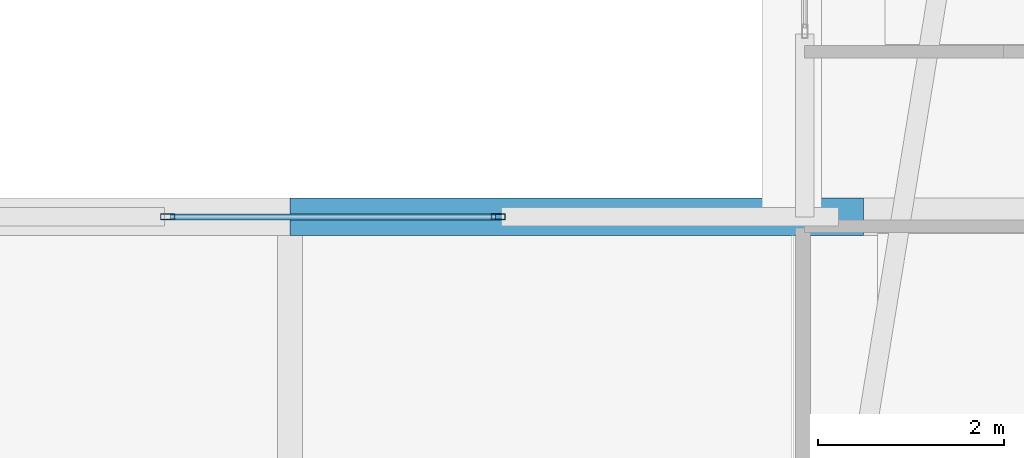
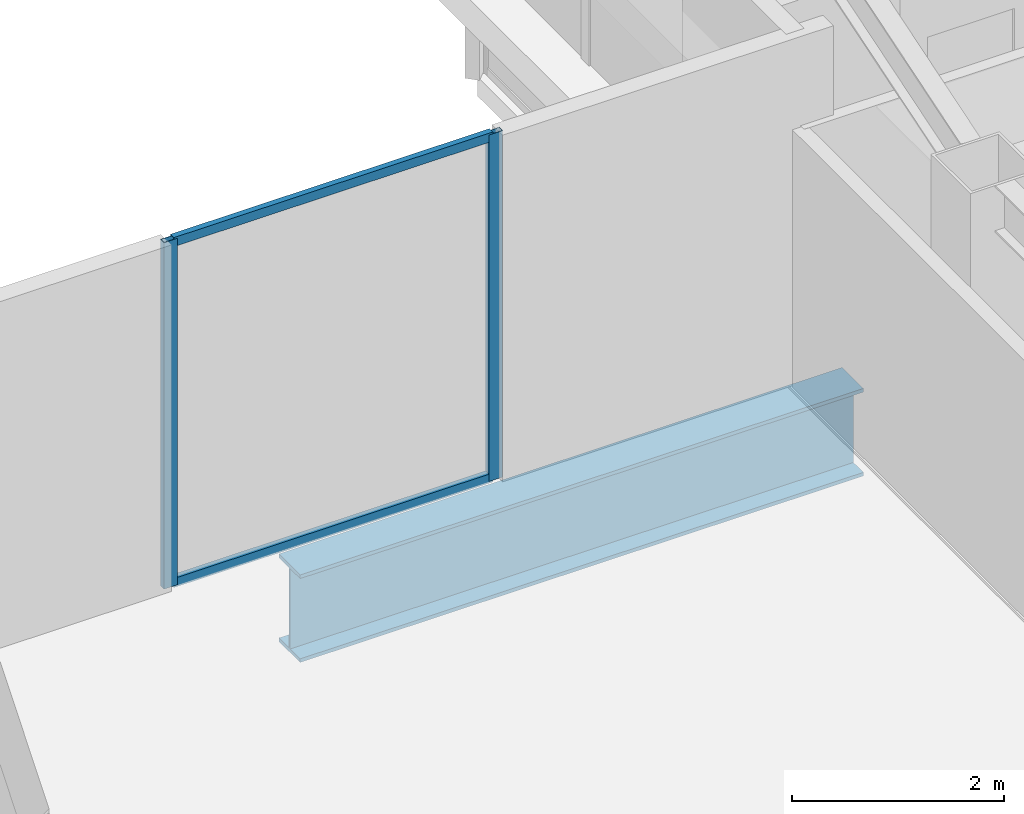
# One storey, part 7 of 51: 4 members, 1 beam, 1 element without a shape of its own.
"""IFC4 building model written with IfcOpenShell, lengths in metres."""

from ifc_helpers import new_model, si_unit, direction, frame, origin, origin_2d, place, context, subcontext, project, spatial, hollow_rectangle, i_section, extrude, material, material_profile, profile_set, type_object, element, aggregate, save


model = new_model("IFC4")

# Units and contexts
model_context = context("Model", 3, precision=1e-05, world=origin(), true_north=direction((0.0, 1.0)))
body_context = subcontext(model_context, "Body", "Model", "MODEL_VIEW")
ifc_project = project(units=[si_unit("LENGTHUNIT", "METRE"), si_unit("AREAUNIT", "SQUARE_METRE"), si_unit("VOLUMEUNIT", "CUBIC_METRE"), si_unit("PLANEANGLEUNIT", "RADIAN"), si_unit("MASSUNIT", "GRAM", prefix="KILO")], contexts=[model_context])

# Site, building, storey
site_placement = place(None, origin())
site = spatial("IfcSite", under=ifc_project, at=site_placement, CompositionType="ELEMENT")
building_placement = place(site_placement, origin())
building = spatial("IfcBuilding", under=site, at=building_placement, Name="Tashvorn Skyway Center", CompositionType="ELEMENT")
storey_placement = place(building_placement, frame((0.0, 0.0, 251.39990234375)))
storey = spatial("IfcBuildingStorey", under=building, at=storey_placement, Name="L68", CompositionType="ELEMENT", Elevation=251.39990234375)

# Beam
ifc_material_1 = material(Name="Steel ASTM A913 Grade 65", Category="steel")
ifc_material_profile_1 = material_profile(ifc_material_1, i_section(OverallWidth=0.40087890625, OverallDepth=1.010986328125, WebThickness=0.023681640625, FlangeThickness=0.0419921875, at=origin_2d()), Name="W40X297")
ifc_profile_set_1 = profile_set([ifc_material_profile_1], Name="Steel ASTM A913 Grade 65")
beam_type = type_object("IfcBeamType", Name="BM-BEAM-W40X297", PredefinedType="BEAM", material=ifc_profile_set_1)
beam_placement = place(storey_placement, frame((20.800048828125, 39.89990234375, -0.725341796875), z_axis=(1.0, 0.0, 0.0), x_axis=(0.0, 1.0, 0.0)))
element("IfcBeam", 1, at=beam_placement, inside=storey, type_object=beam_type, Name="Sky-Park Truss 2 Bottom Chord Panel 04", PredefinedType="BEAM", context=body_context, shape_type="SweptSolid", body=[
    extrude(i_section(OverallWidth=0.40087890625, OverallDepth=1.010986328125, WebThickness=0.023681640625, FlangeThickness=0.0419921875, at=origin_2d()), origin(), (0.0, 0.0, 1.0), 6.14990234375),
])

# Curtain wall, members
ifc_material_2 = material(Name="Thermally broken bronze-anodized aluminium 6063-T6", Category="aluminium")
curtain_wall_type = type_object("IfcCurtainWallType", Name="CW-CW-SKY", PredefinedType="NOTDEFINED", material=ifc_material_2)
curtain_wall_placement = place(storey_placement, origin())
curtain_wall = element("IfcCurtainWall", 2, at=curtain_wall_placement, inside=storey, type_object=curtain_wall_type, Name="Sky-Park L68 Cantilever Gallery North Curtain Wall Glazing Group 1", PredefinedType="NOTDEFINED")
ifc_material_profile_2 = material_profile(ifc_material_2, hollow_rectangle(XDim=0.06494140625, YDim=0.14990234375, WallThickness=0.00390625, at=origin_2d()), Name="ALU-MULL-65x150")
ifc_profile_set_2 = profile_set([ifc_material_profile_2], Name="Thermally broken bronze-anodized aluminium 6063-T6")
member_type_1 = type_object("IfcMemberType", Name="CWM-CW-SKY", PredefinedType="MULLION", material=ifc_profile_set_2)
member_1_placement = place(storey_placement, frame((19.48583984375, 39.89990234375, 0.0), z_axis=(0.0, 0.0, 1.0), x_axis=(0.0, 1.0, 0.0)))
member_1 = element("IfcMember", 3, at=member_1_placement, type_object=member_type_1, Name="CW-SKY mullion 1", PredefinedType="MULLION", context=body_context, shape_type="SweptSolid", body=[
    extrude(hollow_rectangle(XDim=0.06494140625, YDim=0.14990234375, WallThickness=0.00390625, at=origin_2d()), origin(), (0.0, 0.0, 1.0), 4.0),
])
member_2_placement = place(storey_placement, frame((23.0341796875, 39.89990234375, 0.0), z_axis=(0.0, 0.0, 1.0), x_axis=(0.0, 1.0, 0.0)))
member_2 = element("IfcMember", 4, at=member_2_placement, type_object=member_type_1, Name="CW-SKY mullion 2", PredefinedType="MULLION", context=body_context, shape_type="SweptSolid", body=[
    extrude(hollow_rectangle(XDim=0.06494140625, YDim=0.14990234375, WallThickness=0.00390625, at=origin_2d()), origin(), (0.0, 0.0, 1.0), 4.0),
])
ifc_material_profile_3 = material_profile(ifc_material_2, hollow_rectangle(XDim=0.06494140625, YDim=0.10498046875, WallThickness=0.00390625, at=origin_2d()), Name="ALU-TRAN-65x105")
ifc_profile_set_3 = profile_set([ifc_material_profile_3], Name="Thermally broken bronze-anodized aluminium 6063-T6")
member_type_2 = type_object("IfcMemberType", Name="CWT-CW-SKY", PredefinedType="USERDEFINED", material=ifc_profile_set_3)
member_3_placement = place(storey_placement, frame((19.518310546875, 39.89990234375, 0.03271484375), z_axis=(1.0, 0.0, 0.0), x_axis=(0.0, 1.0, 0.0)))
member_3 = element("IfcMember", 5, at=member_3_placement, type_object=member_type_2, Name="CW-SKY transom 1.1", ObjectType="TRANSOM", PredefinedType="USERDEFINED", context=body_context, shape_type="SweptSolid", body=[
    extrude(hollow_rectangle(XDim=0.06494140625, YDim=0.10498046875, WallThickness=0.00390625, at=origin_2d()), origin(), (0.0, 0.0, 1.0), 3.4833984375),
])
member_4_placement = place(storey_placement, frame((19.518310546875, 39.89990234375, 3.967529296875), z_axis=(1.0, 0.0, 0.0), x_axis=(0.0, 1.0, 0.0)))
member_4 = element("IfcMember", 6, at=member_4_placement, type_object=member_type_2, Name="CW-SKY transom 1.2", ObjectType="TRANSOM", PredefinedType="USERDEFINED", context=body_context, shape_type="SweptSolid", body=[
    extrude(hollow_rectangle(XDim=0.06494140625, YDim=0.10498046875, WallThickness=0.00390625, at=origin_2d()), origin(), (0.0, 0.0, 1.0), 3.4833984375),
])
aggregate(curtain_wall, [member_1, member_2, member_3, member_4])

save(model, "model.ifc")
